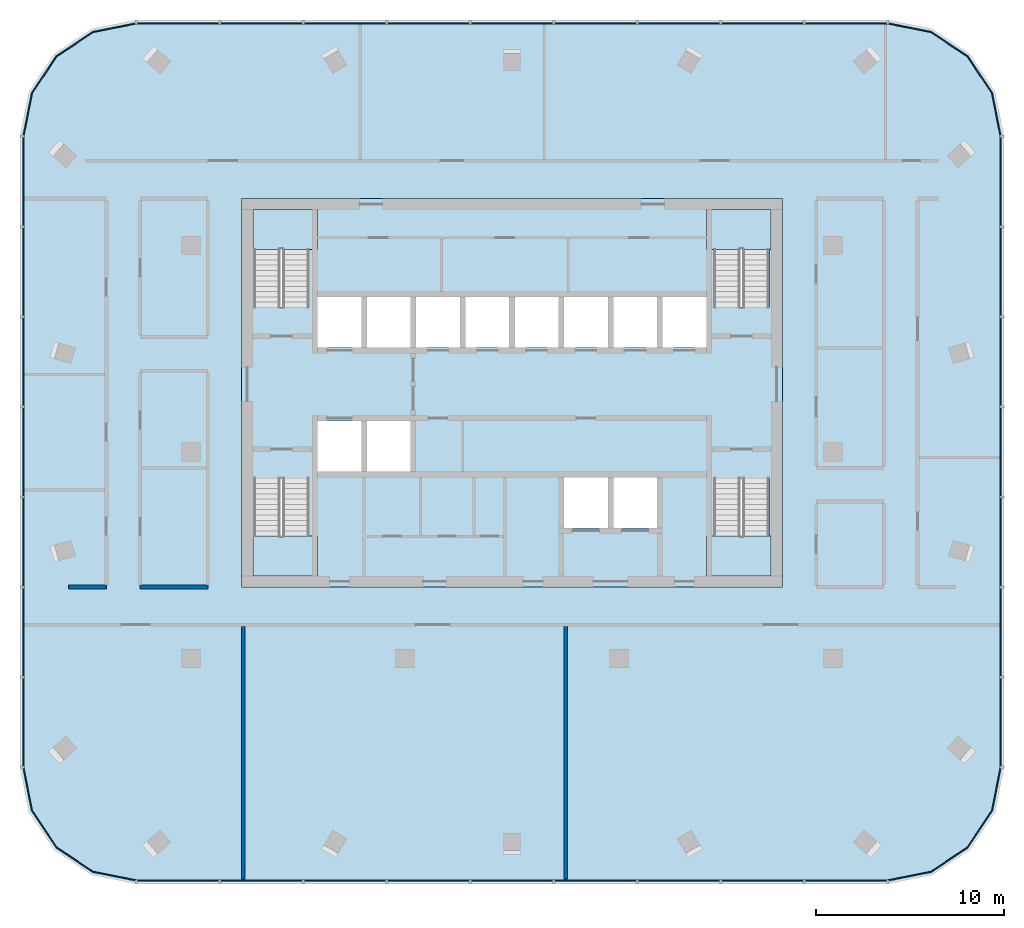
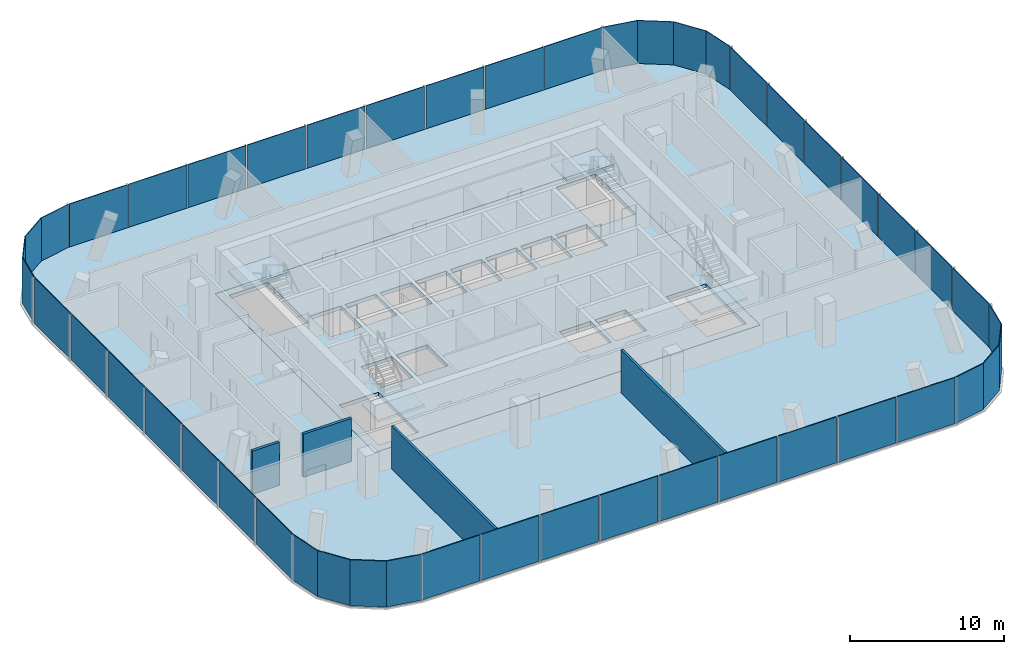
# One storey, part 6 of 11: 36 plates, 6 slabs, 4 walls, 12 elements without a shape of their own.
"""IFC4 building model written with IfcOpenShell, lengths in metres."""

from ifc_helpers import new_model, si_unit, direction, frame, frame_2d, origin, origin_2d, place, context, subcontext, project, spatial, polyline, rectangle, outline, extrude, material, layer, layer_set, type_object, element, aggregate, save


model = new_model("IFC4")

# Units and contexts
model_context = context("Model", 3, precision=1e-05, world=origin(), true_north=direction((0.0, 1.0)))
body_context = subcontext(model_context, "Body", "Model", "MODEL_VIEW")
ifc_project = project(units=[si_unit("LENGTHUNIT", "METRE"), si_unit("AREAUNIT", "SQUARE_METRE"), si_unit("VOLUMEUNIT", "CUBIC_METRE"), si_unit("PLANEANGLEUNIT", "RADIAN"), si_unit("MASSUNIT", "GRAM", prefix="KILO")], contexts=[model_context])

# Site, building, storey
site_placement = place(None, origin())
site = spatial("IfcSite", under=ifc_project, at=site_placement, CompositionType="ELEMENT")
building_placement = place(site_placement, origin())
building = spatial("IfcBuilding", under=site, at=building_placement, Name="Mopane Tessera Tower", CompositionType="ELEMENT")
storey_placement = place(building_placement, frame((0.0, 0.0, 333.39990234375)))
storey = spatial("IfcBuildingStorey", under=building, at=storey_placement, Name="L73", CompositionType="ELEMENT", Elevation=333.39990234375)

# Slab
ifc_material_1 = material(Name="Concrete C40/50", Category="concrete")
ifc_layer_1 = layer(ifc_material_1, 0.300048828125)
ifc_layer_set_1 = layer_set([ifc_layer_1], Name="Concrete C40/50")
slab_type_1 = type_object("IfcSlabType", Name="Core floor slab 300 mm", PredefinedType="FLOOR", material=ifc_layer_set_1)
slab_1_placement = place(storey_placement, frame((0.0, 0.0, -0.2998046875)))
element("IfcSlab", 1, at=slab_1_placement, inside=storey, type_object=slab_type_1, Name="L73 core floor slab", PredefinedType="FLOOR", context=body_context, shape_type="SweptSolid", body=[
    extrude(outline(polyline([(-14.39990234375, -7.199951171875), (14.39990234375, -7.199951171875), (14.39990234375, 13.5), (-14.39990234375, 13.5), (-14.39990234375, -7.199951171875)]), holes=[polyline([(-10.35009765625, -1.050048828125), (-8.02490234375, -1.050048828125), (-8.02490234375, 1.64990234375), (-10.35009765625, 1.64990234375), (-10.35009765625, -1.050048828125)]), polyline([(-7.72509765625, -1.050048828125), (-5.39990234375, -1.050048828125), (-5.39990234375, 1.64990234375), (-7.72509765625, 1.64990234375), (-7.72509765625, -1.050048828125)]), polyline([(-10.35009765625, 5.550048828125), (-8.02490234375, 5.550048828125), (-8.02490234375, 8.25), (-10.35009765625, 8.25), (-10.35009765625, 5.550048828125)]), polyline([(-7.72509765625, 5.550048828125), (-5.39990234375, 5.550048828125), (-5.39990234375, 8.25), (-7.72509765625, 8.25), (-7.72509765625, 5.550048828125)]), polyline([(-5.10009765625, 5.550048828125), (-2.77490234375, 5.550048828125), (-2.77490234375, 8.25), (-5.10009765625, 8.25), (-5.10009765625, 5.550048828125)]), polyline([(-2.47509765625, 5.550048828125), (-0.14990234375, 5.550048828125), (-0.14990234375, 8.25), (-2.47509765625, 8.25), (-2.47509765625, 5.550048828125)]), polyline([(0.14990234375, 5.550048828125), (2.47509765625, 5.550048828125), (2.47509765625, 8.25), (0.14990234375, 8.25), (0.14990234375, 5.550048828125)]), polyline([(2.77490234375, 5.550048828125), (5.10009765625, 5.550048828125), (5.10009765625, 8.25), (2.77490234375, 8.25), (2.77490234375, 5.550048828125)]), polyline([(5.39990234375, 5.550048828125), (7.72509765625, 5.550048828125), (7.72509765625, 8.25), (5.39990234375, 8.25), (5.39990234375, 5.550048828125)]), polyline([(8.02490234375, 5.550048828125), (10.35009765625, 5.550048828125), (10.35009765625, 8.25), (8.02490234375, 8.25), (8.02490234375, 5.550048828125)]), polyline([(2.77490234375, -4.050048828125), (5.10009765625, -4.050048828125), (5.10009765625, -1.35009765625), (2.77490234375, -1.35009765625), (2.77490234375, -4.050048828125)]), polyline([(5.39990234375, -4.050048828125), (7.72509765625, -4.050048828125), (7.72509765625, -1.35009765625), (5.39990234375, -1.35009765625), (5.39990234375, -4.050048828125)]), polyline([(-13.75, -1.405029296875), (-13.75, -6.60009765625), (-10.800048828125, -6.60009765625), (-10.800048828125, -1.405029296875), (-13.75, -1.405029296875)]), polyline([(-10.800048828125, 7.705078125), (-10.800048828125, 12.89990234375), (-13.75, 12.89990234375), (-13.75, 7.705078125), (-10.800048828125, 7.705078125)]), polyline([(10.75, -1.405029296875), (10.75, -6.60009765625), (13.699951171875, -6.60009765625), (13.699951171875, -1.405029296875), (10.75, -1.405029296875)]), polyline([(13.699951171875, 7.705078125), (13.699951171875, 12.89990234375), (10.75, 12.89990234375), (10.75, 7.705078125), (13.699951171875, 7.705078125)])]), origin(), (0.0, 0.0, 1.0), 0.2998046875),
])

# Stair, slab
ifc_material_2 = material(Name="Concrete C50/60", Category="concrete")
stair_type = type_object("IfcStairType", Name="Escape stair 1400 mm, riser 167 mm", PredefinedType="HALF_TURN_STAIR", material=ifc_material_2)
stair_1_placement = place(storey_placement, origin())
stair_1 = element("IfcStair", 2, at=stair_1_placement, inside=storey, type_object=stair_type, Name="L73 Escape stair south-west", PredefinedType="HALF_TURN_STAIR")
ifc_material_3 = material(Name="Concrete C50/60", Category="concrete")
ifc_layer_2 = layer(ifc_material_3, 0.199951171875)
ifc_layer_set_2 = layer_set([ifc_layer_2], Name="Concrete C50/60")
slab_type_2 = type_object("IfcSlabType", Name="Escape stair landing 200 mm", PredefinedType="LANDING", material=ifc_layer_set_2)
slab_2_placement = place(storey_placement, frame((0.0, 0.0, 1.800048828125)))
slab_2 = element("IfcSlab", 3, at=slab_2_placement, type_object=slab_type_2, Name="ST1 landing 1", PredefinedType="LANDING", context=body_context, shape_type="SweptSolid", body=[
    extrude(outline(polyline([(-13.800048828125, -4.47998046875), (-13.800048828125, -6.60009765625), (-10.35009765625, -6.60009765625), (-10.35009765625, -4.47998046875), (-13.800048828125, -4.47998046875)])), origin(), (0.0, 0.0, 1.0), 0.199951171875),
])
aggregate(stair_1, [slab_2])

stair_2_placement = place(storey_placement, origin())
stair_2 = element("IfcStair", 4, at=stair_2_placement, inside=storey, type_object=stair_type, Name="L73 Escape stair north-west", PredefinedType="HALF_TURN_STAIR")
slab_3_placement = place(storey_placement, frame((0.0, 0.0, 1.800048828125)))
slab_3 = element("IfcSlab", 5, at=slab_3_placement, type_object=slab_type_2, Name="ST2 landing 1", PredefinedType="LANDING", context=body_context, shape_type="SweptSolid", body=[
    extrude(outline(polyline([(-10.35009765625, 10.780029296875), (-10.35009765625, 12.89990234375), (-13.800048828125, 12.89990234375), (-13.800048828125, 10.780029296875), (-10.35009765625, 10.780029296875)])), origin(), (0.0, 0.0, 1.0), 0.199951171875),
])
aggregate(stair_2, [slab_3])

stair_3_placement = place(storey_placement, origin())
stair_3 = element("IfcStair", 6, at=stair_3_placement, inside=storey, type_object=stair_type, Name="L73 Escape stair south-east", PredefinedType="HALF_TURN_STAIR")
slab_4_placement = place(storey_placement, frame((0.0, 0.0, 1.800048828125)))
slab_4 = element("IfcSlab", 7, at=slab_4_placement, type_object=slab_type_2, Name="ST3 landing 1", PredefinedType="LANDING", context=body_context, shape_type="SweptSolid", body=[
    extrude(outline(polyline([(10.35009765625, -4.47998046875), (10.35009765625, -6.60009765625), (13.800048828125, -6.60009765625), (13.800048828125, -4.47998046875), (10.35009765625, -4.47998046875)])), origin(), (0.0, 0.0, 1.0), 0.199951171875),
])
aggregate(stair_3, [slab_4])

stair_4_placement = place(storey_placement, origin())
stair_4 = element("IfcStair", 8, at=stair_4_placement, inside=storey, type_object=stair_type, Name="L73 Escape stair north-east", PredefinedType="HALF_TURN_STAIR")
slab_5_placement = place(storey_placement, frame((0.0, 0.0, 1.800048828125)))
slab_5 = element("IfcSlab", 9, at=slab_5_placement, type_object=slab_type_2, Name="ST4 landing 1", PredefinedType="LANDING", context=body_context, shape_type="SweptSolid", body=[
    extrude(outline(polyline([(13.800048828125, 10.780029296875), (13.800048828125, 12.89990234375), (10.35009765625, 12.89990234375), (10.35009765625, 10.780029296875), (13.800048828125, 10.780029296875)])), origin(), (0.0, 0.0, 1.0), 0.199951171875),
])
aggregate(stair_4, [slab_5])

# Slab
ifc_material_4 = material(Name="Concrete C40/50", Category="concrete")
ifc_layer_3 = layer(ifc_material_4, 0.35009765625)
ifc_layer_set_3 = layer_set([ifc_layer_3], Name="Concrete C40/50")
slab_type_3 = type_object("IfcSlabType", Name="Post-tensioned flat plate 350 mm", PredefinedType="FLOOR", material=ifc_layer_set_3)
slab_6_placement = place(storey_placement, frame((0.0, 0.0, -0.349853515625)))
element("IfcSlab", 10, at=slab_6_placement, inside=storey, type_object=slab_type_3, Name="Floor slab L73", PredefinedType="FLOOR", context=body_context, shape_type="SweptSolid", body=[
    extrude(outline(polyline([(-20.0, -22.800048828125), (20.0, -22.800048828125), (22.296142578125, -22.34326171875), (24.24267578125, -21.042724609375), (25.543212890625, -19.09619140625), (26.0, -16.800048828125), (26.0, 16.800048828125), (25.543212890625, 19.09619140625), (24.24267578125, 21.042724609375), (22.296142578125, 22.34326171875), (20.0, 22.800048828125), (-20.0, 22.800048828125), (-22.296142578125, 22.34326171875), (-24.24267578125, 21.042724609375), (-25.543212890625, 19.09619140625), (-26.0, 16.800048828125), (-26.0, -16.800048828125), (-25.543212890625, -19.09619140625), (-24.24267578125, -21.042724609375), (-22.296142578125, -22.34326171875), (-20.0, -22.800048828125)]), holes=[polyline([(14.39990234375, -7.199951171875), (-14.39990234375, -7.199951171875), (-14.39990234375, 13.5), (14.39990234375, 13.5), (14.39990234375, -7.199951171875)])]), origin(), (0.0, 0.0, 1.0), 0.349853515625),
])

# Curtain wall, plates
ifc_material_5 = material(Name="Aluminium frame", Category="aluminium")
curtain_wall_type = type_object("IfcCurtainWallType", Name="Unitised curtain wall", PredefinedType="NOTDEFINED", material=ifc_material_5)
curtain_wall_1_placement = place(storey_placement, origin())
curtain_wall_1 = element("IfcCurtainWall", 11, at=curtain_wall_1_placement, inside=storey, type_object=curtain_wall_type, Name="e:cw:L73:S:0", PredefinedType="NOTDEFINED")
ifc_material_6 = material(Name="Clear laminated glass", Category="glass")
ifc_layer_4 = layer(ifc_material_6, 0.06005859375)
ifc_layer_set_4 = layer_set([ifc_layer_4], Name="Clear laminated glass")
plate_type = type_object("IfcPlateType", Name="Unitised glazed unit", PredefinedType="CURTAIN_PANEL", material=ifc_layer_set_4)
plate_1_placement = place(storey_placement, frame((-17.77783203125, -22.830078125, -0.229736328125), z_axis=(0.0, 0.0, 1.0), x_axis=(1.0, 0.0, 0.0)))
plate_1 = element("IfcPlate", 12, at=plate_1_placement, type_object=plate_type, Name="e:cw:L73:S:0:pn0", PredefinedType="CURTAIN_PANEL", context=body_context, shape_type="SweptSolid", body=[
    extrude(rectangle(XDim=4.344482421875, YDim=0.06005859375, at=origin_2d()), origin(), (0.0, 0.0, 1.0), 3.6298828125),
])
plate_2_placement = place(storey_placement, frame((-13.333251953125, -22.830078125, -0.229736328125), z_axis=(0.0, 0.0, 1.0), x_axis=(1.0, 0.0, 0.0)))
plate_2 = element("IfcPlate", 13, at=plate_2_placement, type_object=plate_type, Name="e:cw:L73:S:0:pn1", PredefinedType="CURTAIN_PANEL", context=body_context, shape_type="SweptSolid", body=[
    extrude(rectangle(XDim=4.344482421875, YDim=0.06005859375, at=origin_2d()), origin(), (0.0, 0.0, 1.0), 3.6298828125),
])
plate_3_placement = place(storey_placement, frame((-8.888916015625, -22.830078125, -0.229736328125), z_axis=(0.0, 0.0, 1.0), x_axis=(1.0, 0.0, 0.0)))
plate_3 = element("IfcPlate", 14, at=plate_3_placement, type_object=plate_type, Name="e:cw:L73:S:0:pn2", PredefinedType="CURTAIN_PANEL", context=body_context, shape_type="SweptSolid", body=[
    extrude(rectangle(XDim=4.344482421875, YDim=0.06005859375, at=origin_2d()), origin(), (0.0, 0.0, 1.0), 3.6298828125),
])
plate_4_placement = place(storey_placement, frame((-4.4443359375, -22.830078125, -0.229736328125), z_axis=(0.0, 0.0, 1.0), x_axis=(1.0, 0.0, 0.0)))
plate_4 = element("IfcPlate", 15, at=plate_4_placement, type_object=plate_type, Name="e:cw:L73:S:0:pn3", PredefinedType="CURTAIN_PANEL", context=body_context, shape_type="SweptSolid", body=[
    extrude(rectangle(XDim=4.344482421875, YDim=0.06005859375, at=origin_2d()), origin(), (0.0, 0.0, 1.0), 3.6298828125),
])
plate_5_placement = place(storey_placement, frame((0.0, -22.830078125, -0.229736328125), z_axis=(0.0, 0.0, 1.0), x_axis=(1.0, 0.0, 0.0)))
plate_5 = element("IfcPlate", 16, at=plate_5_placement, type_object=plate_type, Name="e:cw:L73:S:0:pn4", PredefinedType="CURTAIN_PANEL", context=body_context, shape_type="SweptSolid", body=[
    extrude(rectangle(XDim=4.344482421875, YDim=0.06005859375, at=origin_2d()), origin(), (0.0, 0.0, 1.0), 3.6298828125),
])
plate_6_placement = place(storey_placement, frame((4.4443359375, -22.830078125, -0.229736328125), z_axis=(0.0, 0.0, 1.0), x_axis=(1.0, 0.0, 0.0)))
plate_6 = element("IfcPlate", 17, at=plate_6_placement, type_object=plate_type, Name="e:cw:L73:S:0:pn5", PredefinedType="CURTAIN_PANEL", context=body_context, shape_type="SweptSolid", body=[
    extrude(rectangle(XDim=4.344482421875, YDim=0.06005859375, at=origin_2d()), origin(), (0.0, 0.0, 1.0), 3.6298828125),
])
plate_7_placement = place(storey_placement, frame((8.888916015625, -22.830078125, -0.229736328125), z_axis=(0.0, 0.0, 1.0), x_axis=(1.0, 0.0, 0.0)))
plate_7 = element("IfcPlate", 18, at=plate_7_placement, type_object=plate_type, Name="e:cw:L73:S:0:pn6", PredefinedType="CURTAIN_PANEL", context=body_context, shape_type="SweptSolid", body=[
    extrude(rectangle(XDim=4.344482421875, YDim=0.06005859375, at=origin_2d()), origin(), (0.0, 0.0, 1.0), 3.6298828125),
])
plate_8_placement = place(storey_placement, frame((13.333251953125, -22.830078125, -0.229736328125), z_axis=(0.0, 0.0, 1.0), x_axis=(1.0, 0.0, 0.0)))
plate_8 = element("IfcPlate", 19, at=plate_8_placement, type_object=plate_type, Name="e:cw:L73:S:0:pn7", PredefinedType="CURTAIN_PANEL", context=body_context, shape_type="SweptSolid", body=[
    extrude(rectangle(XDim=4.344482421875, YDim=0.06005859375, at=origin_2d()), origin(), (0.0, 0.0, 1.0), 3.6298828125),
])
plate_9_placement = place(storey_placement, frame((17.77783203125, -22.830078125, -0.229736328125), z_axis=(0.0, 0.0, 1.0), x_axis=(1.0, 0.0, 0.0)))
plate_9 = element("IfcPlate", 20, at=plate_9_placement, type_object=plate_type, Name="e:cw:L73:S:0:pn8", PredefinedType="CURTAIN_PANEL", context=body_context, shape_type="SweptSolid", body=[
    extrude(rectangle(XDim=4.344482421875, YDim=0.06005859375, at=origin_2d()), origin(), (0.0, 0.0, 1.0), 3.6298828125),
])
aggregate(curtain_wall_1, [plate_1, plate_2, plate_3, plate_4, plate_5, plate_6, plate_7, plate_8, plate_9])

# Curtain wall, plate
curtain_wall_2_placement = place(storey_placement, origin())
curtain_wall_2 = element("IfcCurtainWall", 21, at=curtain_wall_2_placement, inside=storey, type_object=curtain_wall_type, Name="e:cw:L73:CS", PredefinedType="NOTDEFINED")
plate_10_placement = place(storey_placement, frame((0.0, 0.0, -0.22998046875)))
plate_10 = element("IfcPlate", 22, at=plate_10_placement, type_object=plate_type, Name="e:cw:L73:CS:pn", PredefinedType="CURTAIN_PANEL", context=body_context, shape_type="SweptSolid", body=[
    extrude(outline(polyline([(20.0, -22.800048828125), (22.296142578125, -22.34326171875), (24.24267578125, -21.042724609375), (25.543212890625, -19.09619140625), (26.0, -16.800048828125), (26.06005859375, -16.800048828125), (25.5986328125, -19.119140625), (24.28515625, -21.0849609375), (22.319091796875, -22.398681640625), (20.0, -22.860107421875), (20.0, -22.800048828125)])), origin(), (0.0, 0.0, 1.0), 3.630126953125),
])
aggregate(curtain_wall_2, [plate_10])

# Curtain wall, plates
curtain_wall_3_placement = place(storey_placement, origin())
curtain_wall_3 = element("IfcCurtainWall", 23, at=curtain_wall_3_placement, inside=storey, type_object=curtain_wall_type, Name="e:cw:L73:E:0", PredefinedType="NOTDEFINED")
plate_11_placement = place(storey_placement, frame((26.030029296875, -14.39990234375, -0.229736328125), z_axis=(0.0, 0.0, 1.0), x_axis=(0.0, 1.0, 0.0)))
plate_11 = element("IfcPlate", 24, at=plate_11_placement, type_object=plate_type, Name="e:cw:L73:E:0:pn0", PredefinedType="CURTAIN_PANEL", context=body_context, shape_type="SweptSolid", body=[
    extrude(rectangle(XDim=4.699951171875, YDim=0.06005859375, at=origin_2d()), origin(), (0.0, 0.0, 1.0), 3.6298828125),
])
plate_12_placement = place(storey_placement, frame((26.030029296875, -9.60009765625, -0.229736328125), z_axis=(0.0, 0.0, 1.0), x_axis=(0.0, 1.0, 0.0)))
plate_12 = element("IfcPlate", 25, at=plate_12_placement, type_object=plate_type, Name="e:cw:L73:E:0:pn1", PredefinedType="CURTAIN_PANEL", context=body_context, shape_type="SweptSolid", body=[
    extrude(rectangle(XDim=4.699951171875, YDim=0.06005859375, at=origin_2d()), origin(), (0.0, 0.0, 1.0), 3.6298828125),
])
plate_13_placement = place(storey_placement, frame((26.030029296875, -4.800048828125, -0.229736328125), z_axis=(0.0, 0.0, 1.0), x_axis=(0.0, 1.0, 0.0)))
plate_13 = element("IfcPlate", 26, at=plate_13_placement, type_object=plate_type, Name="e:cw:L73:E:0:pn2", PredefinedType="CURTAIN_PANEL", context=body_context, shape_type="SweptSolid", body=[
    extrude(rectangle(XDim=4.699951171875, YDim=0.06005859375, at=origin_2d()), origin(), (0.0, 0.0, 1.0), 3.6298828125),
])
plate_14_placement = place(storey_placement, frame((26.030029296875, 0.0, -0.229736328125), z_axis=(0.0, 0.0, 1.0), x_axis=(0.0, 1.0, 0.0)))
plate_14 = element("IfcPlate", 27, at=plate_14_placement, type_object=plate_type, Name="e:cw:L73:E:0:pn3", PredefinedType="CURTAIN_PANEL", context=body_context, shape_type="SweptSolid", body=[
    extrude(rectangle(XDim=4.699951171875, YDim=0.06005859375, at=origin_2d()), origin(), (0.0, 0.0, 1.0), 3.6298828125),
])
plate_15_placement = place(storey_placement, frame((26.030029296875, 4.800048828125, -0.229736328125), z_axis=(0.0, 0.0, 1.0), x_axis=(0.0, 1.0, 0.0)))
plate_15 = element("IfcPlate", 28, at=plate_15_placement, type_object=plate_type, Name="e:cw:L73:E:0:pn4", PredefinedType="CURTAIN_PANEL", context=body_context, shape_type="SweptSolid", body=[
    extrude(rectangle(XDim=4.699951171875, YDim=0.06005859375, at=origin_2d()), origin(), (0.0, 0.0, 1.0), 3.6298828125),
])
plate_16_placement = place(storey_placement, frame((26.030029296875, 9.60009765625, -0.229736328125), z_axis=(0.0, 0.0, 1.0), x_axis=(0.0, 1.0, 0.0)))
plate_16 = element("IfcPlate", 29, at=plate_16_placement, type_object=plate_type, Name="e:cw:L73:E:0:pn5", PredefinedType="CURTAIN_PANEL", context=body_context, shape_type="SweptSolid", body=[
    extrude(rectangle(XDim=4.699951171875, YDim=0.06005859375, at=origin_2d()), origin(), (0.0, 0.0, 1.0), 3.6298828125),
])
plate_17_placement = place(storey_placement, frame((26.030029296875, 14.39990234375, -0.229736328125), z_axis=(0.0, 0.0, 1.0), x_axis=(0.0, 1.0, 0.0)))
plate_17 = element("IfcPlate", 30, at=plate_17_placement, type_object=plate_type, Name="e:cw:L73:E:0:pn6", PredefinedType="CURTAIN_PANEL", context=body_context, shape_type="SweptSolid", body=[
    extrude(rectangle(XDim=4.699951171875, YDim=0.06005859375, at=origin_2d()), origin(), (0.0, 0.0, 1.0), 3.6298828125),
])
aggregate(curtain_wall_3, [plate_11, plate_12, plate_13, plate_14, plate_15, plate_16, plate_17])

# Curtain wall, plate
curtain_wall_4_placement = place(storey_placement, origin())
curtain_wall_4 = element("IfcCurtainWall", 31, at=curtain_wall_4_placement, inside=storey, type_object=curtain_wall_type, Name="e:cw:L73:CE", PredefinedType="NOTDEFINED")
plate_18_placement = place(storey_placement, frame((0.0, 0.0, -0.22998046875)))
plate_18 = element("IfcPlate", 32, at=plate_18_placement, type_object=plate_type, Name="e:cw:L73:CE:pn", PredefinedType="CURTAIN_PANEL", context=body_context, shape_type="SweptSolid", body=[
    extrude(outline(polyline([(26.0, 16.800048828125), (25.543212890625, 19.09619140625), (24.24267578125, 21.042724609375), (22.296142578125, 22.34326171875), (20.0, 22.800048828125), (20.0, 22.860107421875), (22.319091796875, 22.398681640625), (24.28515625, 21.0849609375), (25.5986328125, 19.119140625), (26.06005859375, 16.800048828125), (26.0, 16.800048828125)])), origin(), (0.0, 0.0, 1.0), 3.630126953125),
])
aggregate(curtain_wall_4, [plate_18])

# Curtain wall, plates
curtain_wall_5_placement = place(storey_placement, origin())
curtain_wall_5 = element("IfcCurtainWall", 33, at=curtain_wall_5_placement, inside=storey, type_object=curtain_wall_type, Name="e:cw:L73:N:0", PredefinedType="NOTDEFINED")
plate_19_placement = place(storey_placement, frame((17.77783203125, 22.830078125, -0.229736328125), z_axis=(0.0, 0.0, 1.0), x_axis=(-1.0, 0.0, 0.0)))
plate_19 = element("IfcPlate", 34, at=plate_19_placement, type_object=plate_type, Name="e:cw:L73:N:0:pn0", PredefinedType="CURTAIN_PANEL", context=body_context, shape_type="SweptSolid", body=[
    extrude(rectangle(XDim=4.344482421875, YDim=0.06005859375, at=origin_2d()), origin(), (0.0, 0.0, 1.0), 3.6298828125),
])
plate_20_placement = place(storey_placement, frame((13.333251953125, 22.830078125, -0.229736328125), z_axis=(0.0, 0.0, 1.0), x_axis=(-1.0, 0.0, 0.0)))
plate_20 = element("IfcPlate", 35, at=plate_20_placement, type_object=plate_type, Name="e:cw:L73:N:0:pn1", PredefinedType="CURTAIN_PANEL", context=body_context, shape_type="SweptSolid", body=[
    extrude(rectangle(XDim=4.344482421875, YDim=0.06005859375, at=origin_2d()), origin(), (0.0, 0.0, 1.0), 3.6298828125),
])
plate_21_placement = place(storey_placement, frame((8.888916015625, 22.830078125, -0.229736328125), z_axis=(0.0, 0.0, 1.0), x_axis=(-1.0, 0.0, 0.0)))
plate_21 = element("IfcPlate", 36, at=plate_21_placement, type_object=plate_type, Name="e:cw:L73:N:0:pn2", PredefinedType="CURTAIN_PANEL", context=body_context, shape_type="SweptSolid", body=[
    extrude(rectangle(XDim=4.344482421875, YDim=0.06005859375, at=origin_2d()), origin(), (0.0, 0.0, 1.0), 3.6298828125),
])
plate_22_placement = place(storey_placement, frame((4.4443359375, 22.830078125, -0.229736328125), z_axis=(0.0, 0.0, 1.0), x_axis=(-1.0, 0.0, 0.0)))
plate_22 = element("IfcPlate", 37, at=plate_22_placement, type_object=plate_type, Name="e:cw:L73:N:0:pn3", PredefinedType="CURTAIN_PANEL", context=body_context, shape_type="SweptSolid", body=[
    extrude(rectangle(XDim=4.344482421875, YDim=0.06005859375, at=origin_2d()), origin(), (0.0, 0.0, 1.0), 3.6298828125),
])
plate_23_placement = place(storey_placement, frame((0.0, 22.830078125, -0.229736328125), z_axis=(0.0, 0.0, 1.0), x_axis=(-1.0, 0.0, 0.0)))
plate_23 = element("IfcPlate", 38, at=plate_23_placement, type_object=plate_type, Name="e:cw:L73:N:0:pn4", PredefinedType="CURTAIN_PANEL", context=body_context, shape_type="SweptSolid", body=[
    extrude(rectangle(XDim=4.344482421875, YDim=0.06005859375, at=origin_2d()), origin(), (0.0, 0.0, 1.0), 3.6298828125),
])
plate_24_placement = place(storey_placement, frame((-4.4443359375, 22.830078125, -0.229736328125), z_axis=(0.0, 0.0, 1.0), x_axis=(-1.0, 0.0, 0.0)))
plate_24 = element("IfcPlate", 39, at=plate_24_placement, type_object=plate_type, Name="e:cw:L73:N:0:pn5", PredefinedType="CURTAIN_PANEL", context=body_context, shape_type="SweptSolid", body=[
    extrude(rectangle(XDim=4.344482421875, YDim=0.06005859375, at=origin_2d()), origin(), (0.0, 0.0, 1.0), 3.6298828125),
])
plate_25_placement = place(storey_placement, frame((-8.888916015625, 22.830078125, -0.229736328125), z_axis=(0.0, 0.0, 1.0), x_axis=(-1.0, 0.0, 0.0)))
plate_25 = element("IfcPlate", 40, at=plate_25_placement, type_object=plate_type, Name="e:cw:L73:N:0:pn6", PredefinedType="CURTAIN_PANEL", context=body_context, shape_type="SweptSolid", body=[
    extrude(rectangle(XDim=4.344482421875, YDim=0.06005859375, at=origin_2d()), origin(), (0.0, 0.0, 1.0), 3.6298828125),
])
plate_26_placement = place(storey_placement, frame((-13.333251953125, 22.830078125, -0.229736328125), z_axis=(0.0, 0.0, 1.0), x_axis=(-1.0, 0.0, 0.0)))
plate_26 = element("IfcPlate", 41, at=plate_26_placement, type_object=plate_type, Name="e:cw:L73:N:0:pn7", PredefinedType="CURTAIN_PANEL", context=body_context, shape_type="SweptSolid", body=[
    extrude(rectangle(XDim=4.344482421875, YDim=0.06005859375, at=origin_2d()), origin(), (0.0, 0.0, 1.0), 3.6298828125),
])
plate_27_placement = place(storey_placement, frame((-17.77783203125, 22.830078125, -0.229736328125), z_axis=(0.0, 0.0, 1.0), x_axis=(-1.0, 0.0, 0.0)))
plate_27 = element("IfcPlate", 42, at=plate_27_placement, type_object=plate_type, Name="e:cw:L73:N:0:pn8", PredefinedType="CURTAIN_PANEL", context=body_context, shape_type="SweptSolid", body=[
    extrude(rectangle(XDim=4.344482421875, YDim=0.06005859375, at=origin_2d()), origin(), (0.0, 0.0, 1.0), 3.6298828125),
])
aggregate(curtain_wall_5, [plate_19, plate_20, plate_21, plate_22, plate_23, plate_24, plate_25, plate_26, plate_27])

# Curtain wall, plate
curtain_wall_6_placement = place(storey_placement, origin())
curtain_wall_6 = element("IfcCurtainWall", 43, at=curtain_wall_6_placement, inside=storey, type_object=curtain_wall_type, Name="e:cw:L73:CN", PredefinedType="NOTDEFINED")
plate_28_placement = place(storey_placement, frame((0.0, 0.0, -0.22998046875)))
plate_28 = element("IfcPlate", 44, at=plate_28_placement, type_object=plate_type, Name="e:cw:L73:CN:pn", PredefinedType="CURTAIN_PANEL", context=body_context, shape_type="SweptSolid", body=[
    extrude(outline(polyline([(-20.0, 22.800048828125), (-22.296142578125, 22.34326171875), (-24.24267578125, 21.042724609375), (-25.543212890625, 19.09619140625), (-26.0, 16.800048828125), (-26.06005859375, 16.800048828125), (-25.5986328125, 19.119140625), (-24.28515625, 21.0849609375), (-22.319091796875, 22.398681640625), (-20.0, 22.860107421875), (-20.0, 22.800048828125)])), origin(), (0.0, 0.0, 1.0), 3.630126953125),
])
aggregate(curtain_wall_6, [plate_28])

# Curtain wall, plates
curtain_wall_7_placement = place(storey_placement, origin())
curtain_wall_7 = element("IfcCurtainWall", 45, at=curtain_wall_7_placement, inside=storey, type_object=curtain_wall_type, Name="e:cw:L73:W:0", PredefinedType="NOTDEFINED")
plate_29_placement = place(storey_placement, frame((-26.030029296875, 14.39990234375, -0.229736328125), z_axis=(0.0, 0.0, 1.0), x_axis=(0.0, -1.0, 0.0)))
plate_29 = element("IfcPlate", 46, at=plate_29_placement, type_object=plate_type, Name="e:cw:L73:W:0:pn0", PredefinedType="CURTAIN_PANEL", context=body_context, shape_type="SweptSolid", body=[
    extrude(rectangle(XDim=4.699951171875, YDim=0.06005859375, at=origin_2d()), origin(), (0.0, 0.0, 1.0), 3.6298828125),
])
plate_30_placement = place(storey_placement, frame((-26.030029296875, 9.60009765625, -0.229736328125), z_axis=(0.0, 0.0, 1.0), x_axis=(0.0, -1.0, 0.0)))
plate_30 = element("IfcPlate", 47, at=plate_30_placement, type_object=plate_type, Name="e:cw:L73:W:0:pn1", PredefinedType="CURTAIN_PANEL", context=body_context, shape_type="SweptSolid", body=[
    extrude(rectangle(XDim=4.699951171875, YDim=0.06005859375, at=origin_2d()), origin(), (0.0, 0.0, 1.0), 3.6298828125),
])
plate_31_placement = place(storey_placement, frame((-26.030029296875, 4.800048828125, -0.229736328125), z_axis=(0.0, 0.0, 1.0), x_axis=(0.0, -1.0, 0.0)))
plate_31 = element("IfcPlate", 48, at=plate_31_placement, type_object=plate_type, Name="e:cw:L73:W:0:pn2", PredefinedType="CURTAIN_PANEL", context=body_context, shape_type="SweptSolid", body=[
    extrude(rectangle(XDim=4.699951171875, YDim=0.06005859375, at=origin_2d()), origin(), (0.0, 0.0, 1.0), 3.6298828125),
])
plate_32_placement = place(storey_placement, frame((-26.030029296875, 0.0, -0.229736328125), z_axis=(0.0, 0.0, 1.0), x_axis=(0.0, -1.0, 0.0)))
plate_32 = element("IfcPlate", 49, at=plate_32_placement, type_object=plate_type, Name="e:cw:L73:W:0:pn3", PredefinedType="CURTAIN_PANEL", context=body_context, shape_type="SweptSolid", body=[
    extrude(rectangle(XDim=4.699951171875, YDim=0.06005859375, at=origin_2d()), origin(), (0.0, 0.0, 1.0), 3.6298828125),
])
plate_33_placement = place(storey_placement, frame((-26.030029296875, -4.800048828125, -0.229736328125), z_axis=(0.0, 0.0, 1.0), x_axis=(0.0, -1.0, 0.0)))
plate_33 = element("IfcPlate", 50, at=plate_33_placement, type_object=plate_type, Name="e:cw:L73:W:0:pn4", PredefinedType="CURTAIN_PANEL", context=body_context, shape_type="SweptSolid", body=[
    extrude(rectangle(XDim=4.699951171875, YDim=0.06005859375, at=origin_2d()), origin(), (0.0, 0.0, 1.0), 3.6298828125),
])
plate_34_placement = place(storey_placement, frame((-26.030029296875, -9.60009765625, -0.229736328125), z_axis=(0.0, 0.0, 1.0), x_axis=(0.0, -1.0, 0.0)))
plate_34 = element("IfcPlate", 51, at=plate_34_placement, type_object=plate_type, Name="e:cw:L73:W:0:pn5", PredefinedType="CURTAIN_PANEL", context=body_context, shape_type="SweptSolid", body=[
    extrude(rectangle(XDim=4.699951171875, YDim=0.06005859375, at=origin_2d()), origin(), (0.0, 0.0, 1.0), 3.6298828125),
])
plate_35_placement = place(storey_placement, frame((-26.030029296875, -14.39990234375, -0.229736328125), z_axis=(0.0, 0.0, 1.0), x_axis=(0.0, -1.0, 0.0)))
plate_35 = element("IfcPlate", 52, at=plate_35_placement, type_object=plate_type, Name="e:cw:L73:W:0:pn6", PredefinedType="CURTAIN_PANEL", context=body_context, shape_type="SweptSolid", body=[
    extrude(rectangle(XDim=4.699951171875, YDim=0.06005859375, at=origin_2d()), origin(), (0.0, 0.0, 1.0), 3.6298828125),
])
aggregate(curtain_wall_7, [plate_29, plate_30, plate_31, plate_32, plate_33, plate_34, plate_35])

# Curtain wall, plate
curtain_wall_8_placement = place(storey_placement, origin())
curtain_wall_8 = element("IfcCurtainWall", 53, at=curtain_wall_8_placement, inside=storey, type_object=curtain_wall_type, Name="e:cw:L73:CW", PredefinedType="NOTDEFINED")
plate_36_placement = place(storey_placement, frame((0.0, 0.0, -0.22998046875)))
plate_36 = element("IfcPlate", 54, at=plate_36_placement, type_object=plate_type, Name="e:cw:L73:CW:pn", PredefinedType="CURTAIN_PANEL", context=body_context, shape_type="SweptSolid", body=[
    extrude(outline(polyline([(-26.0, -16.800048828125), (-25.543212890625, -19.09619140625), (-24.24267578125, -21.042724609375), (-22.296142578125, -22.34326171875), (-20.0, -22.800048828125), (-20.0, -22.860107421875), (-22.319091796875, -22.398681640625), (-24.28515625, -21.0849609375), (-25.5986328125, -19.119140625), (-26.06005859375, -16.800048828125), (-26.0, -16.800048828125)])), origin(), (0.0, 0.0, 1.0), 3.630126953125),
])
aggregate(curtain_wall_8, [plate_36])

# Walls
ifc_material_7 = material(Name="Gypsum board on staggered steel studs, double layer each face, acoustic mineral wool infill", Category="steel")
ifc_layer_5 = layer(ifc_material_7, 0.175048828125)
ifc_layer_set_5 = layer_set([ifc_layer_5], Name="Gypsum board on staggered steel studs, double layer each face, acoustic mineral wool infill")
wall_type_1 = type_object("IfcWallType", Name="Gypsum board acoustic partition 175, rated EI 60", PredefinedType="PARTITIONING", material=ifc_layer_set_5)
for number, where, z_axis, x_axis, name in (
    (55, (-14.304931640625, -22.75, 0.0), (0.0, 0.0, 1.0), (0.0, 1.0, 0.0), "Partition L73:024"),
    (56, (2.860107421875, -22.75, 0.0), (0.0, 0.0, 1.0), (0.0, 1.0, 0.0), "Partition L73:027"),
):
    element("IfcWall", number, at=place(storey_placement, frame(where, z_axis=z_axis, x_axis=x_axis)), inside=storey, type_object=wall_type_1, Name=name, PredefinedType="PARTITIONING", context=body_context, shape_type="SweptSolid", body=[
        extrude(rectangle(XDim=13.449951171875, YDim=0.175048828125, at=frame_2d((6.72509765625, 0.0))), origin(), (0.0, 0.0, 1.0), 3.400146484375),
    ])
ifc_material_8 = material(Name="Gypsum board on steel studs, two layers each face, mineral wool infill", Category="steel")
ifc_layer_6 = layer(ifc_material_8, 0.199951171875)
ifc_layer_set_6 = layer_set([ifc_layer_6], Name="Gypsum board on steel studs, two layers each face, mineral wool infill")
wall_type_2 = type_object("IfcWallType", Name="Gypsum board corridor wall 200, rated EI 60", PredefinedType="PARTITIONING", material=ifc_layer_set_6)
wall_1_placement = place(storey_placement, frame((-23.625, -7.199951171875, 0.0), z_axis=(0.0, 0.0, 1.0), x_axis=(1.0, 0.0, 0.0)))
element("IfcWall", 57, at=wall_1_placement, inside=storey, type_object=wall_type_2, Name="Partition L73:001", PredefinedType="PARTITIONING", context=body_context, shape_type="SweptSolid", body=[
    extrude(rectangle(XDim=2.02490234375, YDim=0.199951171875, at=frame_2d((1.012451171875, 0.0))), origin(), (0.0, 0.0, 1.0), 3.400146484375),
])
wall_2_placement = place(storey_placement, frame((-19.800048828125, -7.199951171875, 0.0), z_axis=(0.0, 0.0, 1.0), x_axis=(1.0, 0.0, 0.0)))
element("IfcWall", 58, at=wall_2_placement, inside=storey, type_object=wall_type_2, Name="Partition L73:002", PredefinedType="PARTITIONING", context=body_context, shape_type="SweptSolid", body=[
    extrude(rectangle(XDim=3.60009765625, YDim=0.199951171875, at=frame_2d((1.800048828125, 0.0))), origin(), (0.0, 0.0, 1.0), 3.400146484375),
])

save(model, "model.ifc")
